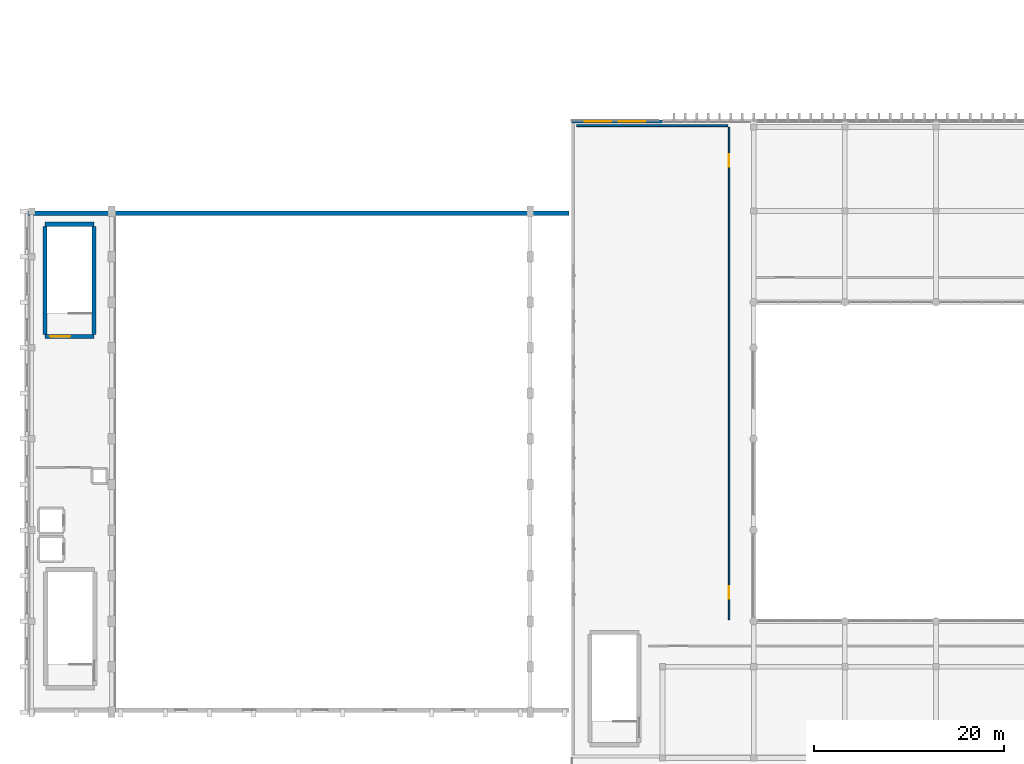
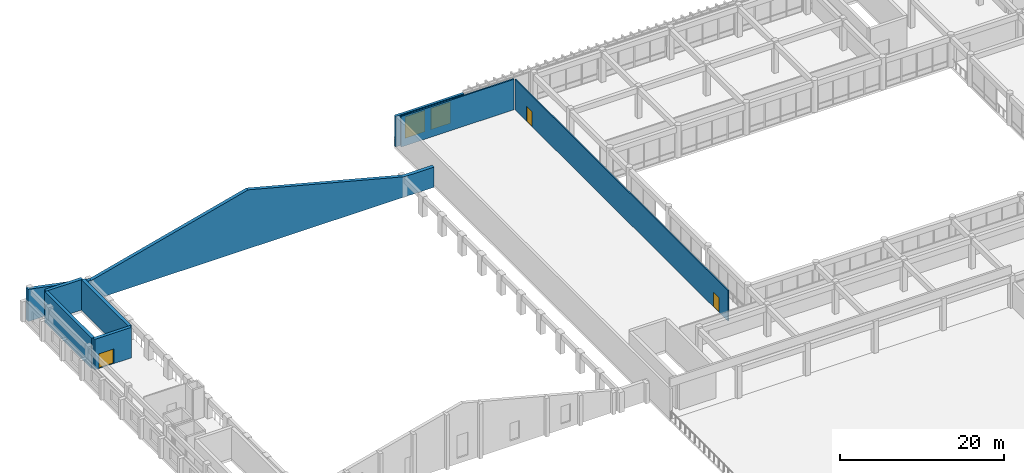
# One storey, part 74 of 101: 8 walls, 3 doors, 2 windows, 5 openings.
"""IFC4 building model written with IfcOpenShell, lengths in metres."""

from ifc_helpers import new_model, si_unit, direction, frame, frame_2d, origin, place, context, subcontext, project, spatial, polyline, rectangle, outline, extrude, material, layer, layer_set, type_object, element, fill, save


model = new_model("IFC4")

# Units and contexts
model_context = context("Model", 3, precision=1e-05, world=origin(), true_north=direction((0.0, 1.0)))
body_context = subcontext(model_context, "Body", "Model", "MODEL_VIEW")
ifc_project = project(units=[si_unit("LENGTHUNIT", "METRE"), si_unit("AREAUNIT", "SQUARE_METRE"), si_unit("VOLUMEUNIT", "CUBIC_METRE"), si_unit("PLANEANGLEUNIT", "RADIAN"), si_unit("MASSUNIT", "GRAM", prefix="KILO")], contexts=[model_context])

# Site, building, storey
site_placement = place(None, origin())
site = spatial("IfcSite", under=ifc_project, at=site_placement, CompositionType="ELEMENT")
building_placement = place(site_placement, origin())
building = spatial("IfcBuilding", under=site, at=building_placement, Name="Nakhvara Creek Congress Hotel", CompositionType="ELEMENT")
storey_placement = place(building_placement, frame((0.0, 0.0, 16.199951171875)))
storey = spatial("IfcBuildingStorey", under=building, at=storey_placement, Name="L03", CompositionType="ELEMENT", Elevation=16.199951171875)

# Wall, openings, doors
ifc_material_1 = material(Name="Moisture-resistant blockwork and plaster", Category="masonry")
ifc_layer_1 = layer(ifc_material_1, 0.159912109375)
ifc_layer_set_1 = layer_set([ifc_layer_1], Name="Moisture-resistant blockwork and plaster")
wall_type_1 = type_object("IfcWallType", Name="W-BOH-160", PredefinedType="PARTITIONING", material=ifc_layer_set_1)
wall_1_placement = place(storey_placement, frame((74.199951171875, 43.35009765625, 0.0), z_axis=(0.0, 0.0, 1.0), x_axis=(0.0, 1.0, 0.0)))
wall_1 = element("IfcWall", 1, at=wall_1_placement, inside=storey, type_object=wall_type_1, Name="Interior Wall WP14-IW-L03-0218", PredefinedType="PARTITIONING", context=body_context, shape_type="SweptSolid", body=[
    extrude(rectangle(XDim=51.89990234375, YDim=0.159912109375, at=frame_2d((25.949951171875, 0.0))), origin(), (0.0, 0.0, 1.0), 4.5400390625),
])
opening_1_placement = place(wall_1_placement, frame((2.199951171875, 0.0, 0.0)))
opening_1 = element("IfcOpeningElement", 2, at=opening_1_placement, cuts=wall_1, Name="Opening ID05", PredefinedType="OPENING", context=body_context, shape_type="SweptSolid", body=[
    extrude(rectangle(XDim=1.35009765625, YDim=2.199951171875, at=frame_2d((0.675048828125, 1.10009765625))), frame((0.0, 0.091796875, 0.0), z_axis=(0.0, -1.0, 0.0), x_axis=(1.0, 0.0, 0.0)), (0.0, 0.0, 1.0), 0.183837890625),
])
opening_2_placement = place(wall_1_placement, frame((47.699951171875, 0.0, 0.0)))
opening_2 = element("IfcOpeningElement", 3, at=opening_2_placement, cuts=wall_1, Name="Opening ID05", PredefinedType="OPENING", context=body_context, shape_type="SweptSolid", body=[
    extrude(rectangle(XDim=1.35009765625, YDim=2.199951171875, at=frame_2d((0.675048828125, 1.10009765625))), frame((0.0, 0.091796875, 0.0), z_axis=(0.0, -1.0, 0.0), x_axis=(1.0, 0.0, 0.0)), (0.0, 0.0, 1.0), 0.183837890625),
])
ifc_material_2 = material(Name="Brushed stainless-clad BOH door")
door_type_1 = type_object("IfcDoorType", Name="DT-BOH-135", OperationType="NOTDEFINED", PredefinedType="DOOR", material=ifc_material_2)
door_1_placement = place(opening_1_placement, origin())
door_1 = element("IfcDoor", 4, at=door_1_placement, inside=storey, type_object=door_type_1, Name="Interior Door ID05-0198", OperationType="SINGLE_SWING_LEFT", OverallHeight=2.199951171875, OverallWidth=1.35009765625, PredefinedType="DOOR", context=body_context, shape_type="SweptSolid", body=[
    extrude(rectangle(XDim=1.35009765625, YDim=2.199951171875, at=frame_2d((0.675048828125, 1.10009765625))), frame((0.0, 0.02490234375, 0.0), z_axis=(0.0, -1.0, 0.0), x_axis=(1.0, 0.0, 0.0)), (0.0, 0.0, 1.0), 0.050048828125),
])
fill(opening_1, door_1)
door_2_placement = place(opening_2_placement, origin())
door_2 = element("IfcDoor", 5, at=door_2_placement, inside=storey, type_object=door_type_1, Name="Interior Door ID05-0199", OperationType="SINGLE_SWING_RIGHT", OverallHeight=2.199951171875, OverallWidth=1.35009765625, PredefinedType="DOOR", context=body_context, shape_type="SweptSolid", body=[
    extrude(rectangle(XDim=1.35009765625, YDim=2.199951171875, at=frame_2d((0.675048828125, 1.10009765625))), frame((0.0, 0.02490234375, 0.0), z_axis=(0.0, -1.0, 0.0), x_axis=(1.0, 0.0, 0.0)), (0.0, 0.0, 1.0), 0.050048828125),
])
fill(opening_2, door_2)

# Wall, opening, door
ifc_material_3 = material(Name="Concrete C50/60", Category="concrete")
ifc_layer_2 = layer(ifc_material_3, 0.449951171875)
ifc_layer_set_2 = layer_set([ifc_layer_2], Name="Concrete C50/60")
wall_type_2 = type_object("IfcWallType", Name="W-CORE-450", PredefinedType="SHEAR", material=ifc_layer_set_2)
wall_2_placement = place(storey_placement, frame((2.14990234375, 73.179931640625, 0.0), z_axis=(0.0, 0.0, 1.0), x_axis=(1.0, 0.0, 0.0)))
wall_2 = element("IfcWall", 6, at=wall_2_placement, inside=storey, type_object=wall_type_2, Name="Core Shear Wall WS02-CWALL-L03-0867", PredefinedType="SHEAR", context=body_context, shape_type="SweptSolid", body=[
    extrude(rectangle(XDim=5.150146484375, YDim=0.449951171875, at=frame_2d((2.5751953125, 0.0))), origin(), (0.0, 0.0, 1.0), 4.5400390625),
])
opening_3_placement = place(wall_2_placement, frame((0.550048828125, 0.0, 0.0)))
opening_3 = element("IfcOpeningElement", 7, at=opening_3_placement, cuts=wall_2, Name="Opening FD19", PredefinedType="OPENING", context=body_context, shape_type="SweptSolid", body=[
    extrude(rectangle(XDim=2.10009765625, YDim=2.199951171875, at=frame_2d((1.050048828125, 1.10009765625))), frame((0.0, 0.23681640625, 0.0), z_axis=(0.0, -1.0, 0.0), x_axis=(1.0, 0.0, 0.0)), (0.0, 0.0, 1.0), 0.473876953125),
])
ifc_material_4 = material(Name="Galvanised steel acoustic fire door", Category="steel")
door_type_2 = type_object("IfcDoorType", Name="DT-STAIR-220", OperationType="DOUBLE_DOOR_SINGLE_SWING", PredefinedType="DOOR", material=ifc_material_4)
door_3_placement = place(opening_3_placement, frame((2.10009765625, 0.0, 0.0), z_axis=(0.0, 0.0, 1.0), x_axis=(-1.0, 0.0, 0.0)))
door_3 = element("IfcDoor", 8, at=door_3_placement, inside=storey, type_object=door_type_2, Name="Stair Exit Door ST07-L03", OperationType="DOUBLE_DOOR_SINGLE_SWING", OverallHeight=2.199951171875, OverallWidth=2.10009765625, PredefinedType="DOOR", context=body_context, shape_type="SweptSolid", body=[
    extrude(rectangle(XDim=2.10009765625, YDim=2.199951171875, at=frame_2d((1.050048828125, 1.10009765625))), frame((0.0, 0.02490234375, 0.0), z_axis=(0.0, -1.0, 0.0), x_axis=(1.0, 0.0, 0.0)), (0.0, 0.0, 1.0), 0.050048828125),
])
fill(opening_3, door_3)

# Walls
wall_3_placement = place(storey_placement, frame((2.14990234375, 85.02001953125, 0.0), z_axis=(0.0, 0.0, 1.0), x_axis=(1.0, 0.0, 0.0)))
element("IfcWall", 9, at=wall_3_placement, inside=storey, type_object=wall_type_2, Name="Core Shear Wall WS02-CWALL-L03-0868", PredefinedType="SHEAR", context=body_context, shape_type="SweptSolid", body=[
    extrude(rectangle(XDim=5.150146484375, YDim=0.449951171875, at=frame_2d((2.5751953125, 0.0))), origin(), (0.0, 0.0, 1.0), 4.5400390625),
])
for number, where, z_axis, x_axis, name in (
    (10, (2.14990234375, 73.39990234375, 0.0), (0.0, 0.0, 1.0), (0.0, 1.0, 0.0), "Core Shear Wall WS02-CWALL-L03-0869"),
    (11, (7.300048828125, 73.39990234375, 0.0), (0.0, 0.0, 1.0), (0.0, 1.0, 0.0), "Core Shear Wall WS02-CWALL-L03-0870"),
):
    element("IfcWall", number, at=place(storey_placement, frame(where, z_axis=z_axis, x_axis=x_axis)), inside=storey, type_object=wall_type_2, Name=name, PredefinedType="SHEAR", context=body_context, shape_type="SweptSolid", body=[
        extrude(rectangle(XDim=11.400146484375, YDim=0.449951171875, at=frame_2d((5.7001953125, 0.0))), origin(), (0.0, 0.0, 1.0), 4.5400390625),
    ])

# Wall, openings, windows
ifc_material_5 = material(Name="Architectural GRC panel")
ifc_layer_3 = layer(ifc_material_5, 0.0400390625)
ifc_material_6 = material(Name="Mineral wool thermal insulation")
ifc_layer_4 = layer(ifc_material_6, 0.10009765625)
ifc_material_7 = material(Name="Precast concrete C40/50", Category="concrete")
ifc_layer_5 = layer(ifc_material_7, 0.199951171875)
ifc_layer_set_3 = layer_set([ifc_layer_3, ifc_layer_4, ifc_layer_5], Name="Precast concrete C40/50")
wall_type_3 = type_object("IfcWallType", Name="W-EXT-340", PredefinedType="SOLIDWALL", material=ifc_layer_set_3)
wall_4_placement = place(storey_placement, frame((57.60009765625, 95.830078125, 0.0), z_axis=(0.0, 0.0, 1.0), x_axis=(1.0, 0.0, 0.0)))
wall_4 = element("IfcWall", 12, at=wall_4_placement, inside=storey, type_object=wall_type_3, Name="Exterior Wall WE04-EW-L03-0090", PredefinedType="SOLIDWALL", context=body_context, shape_type="SweptSolid", body=[
    extrude(rectangle(XDim=9.599853515625, YDim=0.340087890625, at=frame_2d((4.7998046875, 0.0))), origin(), (0.0, 0.0, 1.0), 4.5400390625),
])
opening_4_placement = place(wall_4_placement, frame((1.39990234375, 0.0, 0.699951171875)))
opening_4 = element("IfcOpeningElement", 13, at=opening_4_placement, cuts=wall_4, Name="Opening WN0103", PredefinedType="OPENING", context=body_context, shape_type="SweptSolid", body=[
    extrude(rectangle(XDim=2.800048828125, YDim=3.199951171875, at=frame_2d((1.39990234375, 1.60009765625))), frame((0.0, 0.18212890625, 0.0), z_axis=(0.0, -1.0, 0.0), x_axis=(1.0, 0.0, 0.0)), (0.0, 0.0, 1.0), 0.364013671875),
])
opening_5_placement = place(wall_4_placement, frame((5.0, 0.0, 0.699951171875)))
opening_5 = element("IfcOpeningElement", 14, at=opening_5_placement, cuts=wall_4, Name="Opening WN0104", PredefinedType="OPENING", context=body_context, shape_type="SweptSolid", body=[
    extrude(rectangle(XDim=2.800048828125, YDim=3.199951171875, at=frame_2d((1.39990234375, 1.60009765625))), frame((0.0, 0.18212890625, 0.0), z_axis=(0.0, -1.0, 0.0), x_axis=(1.0, 0.0, 0.0)), (0.0, 0.0, 1.0), 0.364013671875),
])
ifc_material_8 = material(Name="Thermally broken bronze-anodised aluminium and double-silver low-E insulated glass", Category="aluminium")
window_type = type_object("IfcWindowType", Name="WN-POD-280X320", PartitioningType="SINGLE_PANEL", PredefinedType="WINDOW", material=ifc_material_8)
window_1_placement = place(opening_4_placement, origin())
window_1 = element("IfcWindow", 15, at=window_1_placement, inside=storey, type_object=window_type, Name="Facade Window WN0103", OverallHeight=3.199951171875, OverallWidth=2.800048828125, PartitioningType="SINGLE_PANEL", PredefinedType="WINDOW", context=body_context, shape_type="SweptSolid", body=[
    extrude(rectangle(XDim=2.800048828125, YDim=3.199951171875, at=frame_2d((1.39990234375, 1.60009765625))), frame((0.0, 0.030029296875, 0.0), z_axis=(0.0, -1.0, 0.0), x_axis=(1.0, 0.0, 0.0)), (0.0, 0.0, 1.0), 0.06005859375),
])
fill(opening_4, window_1)
window_2_placement = place(opening_5_placement, origin())
window_2 = element("IfcWindow", 16, at=window_2_placement, inside=storey, type_object=window_type, Name="Facade Window WN0104", OverallHeight=3.199951171875, OverallWidth=2.800048828125, PartitioningType="SINGLE_PANEL", PredefinedType="WINDOW", context=body_context, shape_type="SweptSolid", body=[
    extrude(rectangle(XDim=2.800048828125, YDim=3.199951171875, at=frame_2d((1.39990234375, 1.60009765625))), frame((0.0, 0.030029296875, 0.0), z_axis=(0.0, -1.0, 0.0), x_axis=(1.0, 0.0, 0.0)), (0.0, 0.0, 1.0), 0.06005859375),
])
fill(opening_5, window_2)

# Walls
ifc_material_9 = material(Name="Honed pale Omani limestone cladding", Category="masonry")
ifc_layer_6 = layer(ifc_material_9, 0.06005859375)
ifc_layer_7 = layer(ifc_material_6, 0.1201171875)
ifc_layer_8 = layer(ifc_material_7, 0.300048828125)
ifc_layer_set_4 = layer_set([ifc_layer_6, ifc_layer_7, ifc_layer_8], Name="Precast concrete C40/50")
wall_type_4 = type_object("IfcWallType", Name="W-HALL-480", PredefinedType="SOLIDWALL", material=ifc_layer_set_4)
wall_5_placement = place(storey_placement, frame((0.239990234375, 86.159912109375, 0.0), z_axis=(0.0, 0.0, 1.0), x_axis=(1.0, 0.0, 0.0)))
element("IfcWall", 17, at=wall_5_placement, inside=storey, type_object=wall_type_4, Name="Exterior Wall WE01-EW-L03-0089", PredefinedType="SOLIDWALL", context=body_context, shape_type="SweptSolid", body=[
    extrude(outline(polyline([(0.0, 0.0), (57.1201171875, 0.0), (57.1201171875, 3.0), (53.010009765625, 3.0), (30.9599609375, 8.760009765625), (8.909912109375, 3.0), (0.0, 4.800048828125), (0.0, 0.0)])), frame((0.0, 0.239990234375, 0.0), z_axis=(0.0, -1.0, 0.0), x_axis=(1.0, 0.0, 0.0)), (0.0, 0.0, 1.0), 0.47998046875),
])
ifc_material_10 = material(Name="Gypsum acoustic board on steel stud", Category="steel")
ifc_layer_9 = layer(ifc_material_10, 0.199951171875)
ifc_layer_set_5 = layer_set([ifc_layer_9], Name="Gypsum acoustic board on steel stud")
wall_type_5 = type_object("IfcWallType", Name="W-PART-200", PredefinedType="PARTITIONING", material=ifc_layer_set_5)
wall_6_placement = place(storey_placement, frame((58.14990234375, 95.39990234375, 0.0), z_axis=(0.0, 0.0, 1.0), x_axis=(1.0, 0.0, 0.0)))
element("IfcWall", 18, at=wall_6_placement, inside=storey, type_object=wall_type_5, Name="Interior Wall WP12-IW-L03-0219", PredefinedType="PARTITIONING", context=body_context, shape_type="SweptSolid", body=[
    extrude(rectangle(XDim=15.900146484375, YDim=0.199951171875, at=frame_2d((7.9501953125, 0.0))), origin(), (0.0, 0.0, 1.0), 4.5400390625),
])

save(model, "model.ifc")
